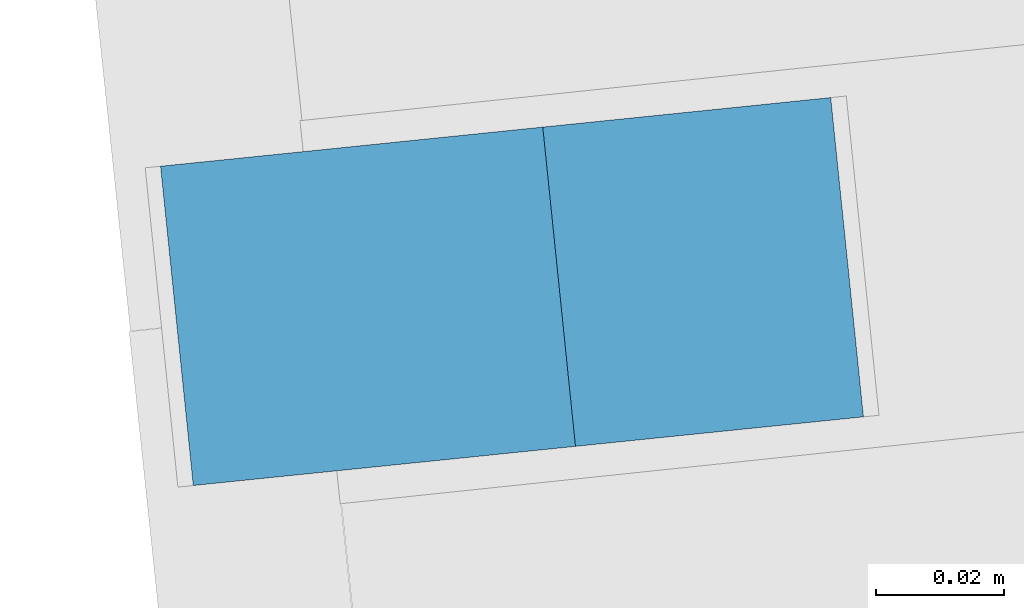
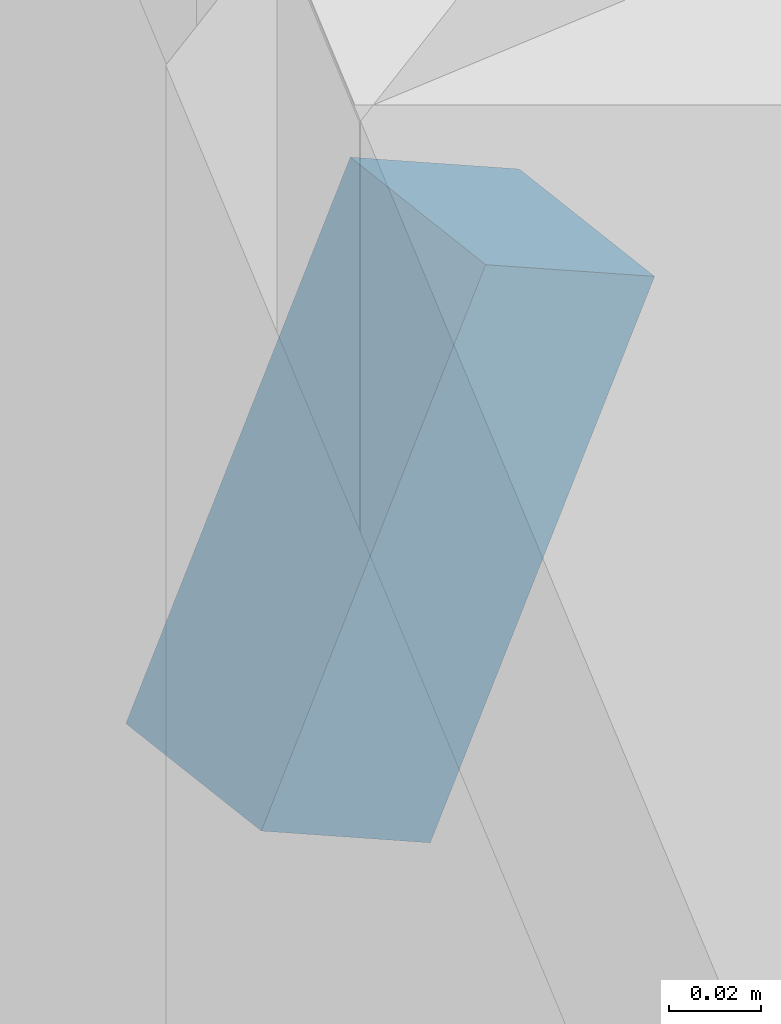
# One storey, part 30 of 41: 1 discrete accessory.
"""IFC4 building model written with IfcOpenShell, lengths in metres."""

from ifc_helpers import new_model, si_unit, direction, frame, origin, origin_2d, place, context, subcontext, project, spatial, rectangle, extrude, material, material_profile, profile_set, type_object, element, save


model = new_model("IFC4")

# Units and contexts
model_context = context("Model", 3, precision=1e-05, world=origin(), true_north=direction((0.0, 1.0)))
body_context = subcontext(model_context, "Body", "Model", "MODEL_VIEW")
ifc_project = project(units=[si_unit("LENGTHUNIT", "METRE"), si_unit("AREAUNIT", "SQUARE_METRE"), si_unit("VOLUMEUNIT", "CUBIC_METRE"), si_unit("PLANEANGLEUNIT", "RADIAN"), si_unit("MASSUNIT", "GRAM", prefix="KILO")], contexts=[model_context])

# Site, building, storey
site_placement = place(None, origin())
site = spatial("IfcSite", under=ifc_project, at=site_placement, CompositionType="ELEMENT")
building_placement = place(site_placement, origin())
building = spatial("IfcBuilding", under=site, at=building_placement, Name="Hakoniwa Tower and Hamabe Station Hall", CompositionType="ELEMENT")
storey_placement = place(building_placement, frame((0.0, 0.0, 276.60009765625)))
storey = spatial("IfcBuildingStorey", under=building, at=storey_placement, Name="L77", CompositionType="ELEMENT", Elevation=276.60009765625)

# Discrete accessory
ifc_material = material(Name="Stainless steel SUS304", Category="steel")
ifc_material_profile = material_profile(ifc_material, rectangle(XDim=0.050048828125, YDim=0.050048828125, at=origin_2d()), Name="CW-4 GLAZING BRACKET 50X50")
ifc_profile_set = profile_set([ifc_material_profile], Name="Stainless steel SUS304")
discrete_accessory_type = type_object("IfcDiscreteAccessoryType", Name="CW-4 GLAZING BRACKET 50X50", PredefinedType="BRACKET", material=ifc_profile_set)
discrete_accessory_placement = place(storey_placement, frame((-38.338134765625, 3.628662109375, 4.099853515625), z_axis=(-0.429789998446, -0.044035860496, -0.901854422968), x_axis=(0.101925414299, -0.994792043555, 0.0)))
element("IfcDiscreteAccessory", 1, at=discrete_accessory_placement, inside=storey, type_object=discrete_accessory_type, Name="Glazing bracket", PredefinedType="BRACKET", context=body_context, shape_type="SweptSolid", body=[
    extrude(rectangle(XDim=0.050048828125, YDim=0.050048828125, at=origin_2d()), origin(), (0.0, 0.0, 1.0), 0.138671875),
])

save(model, "model.ifc")
